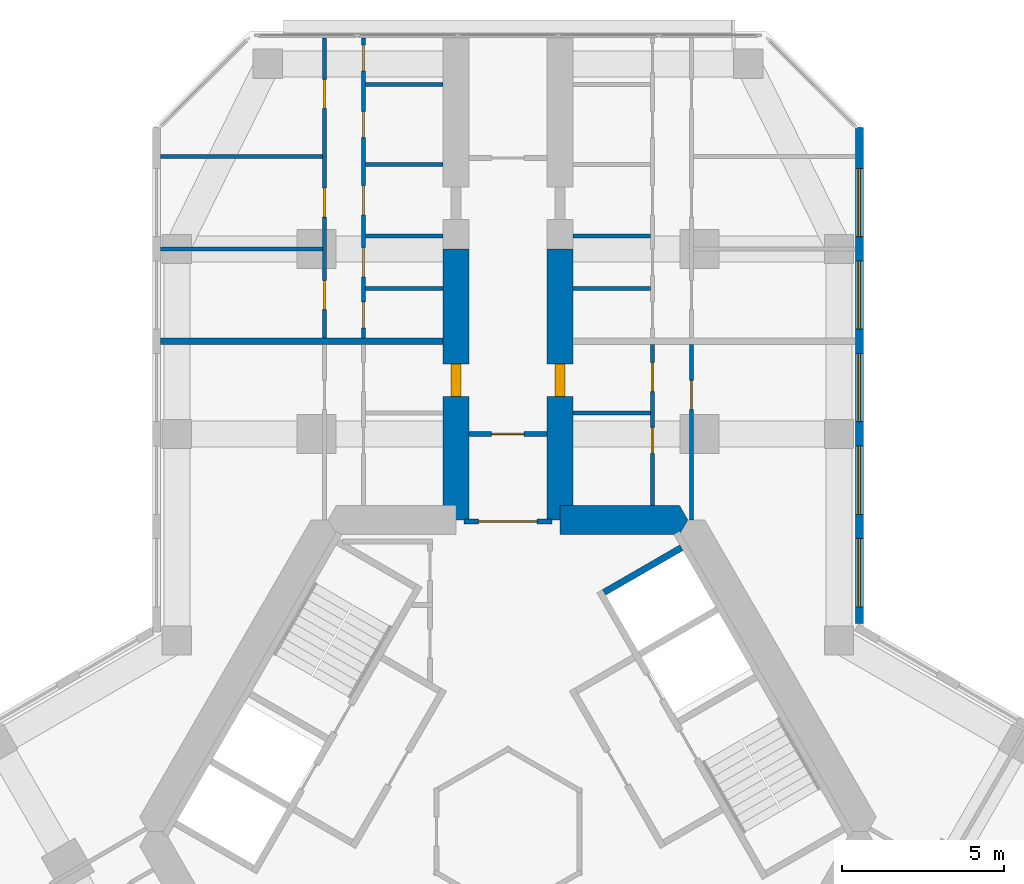
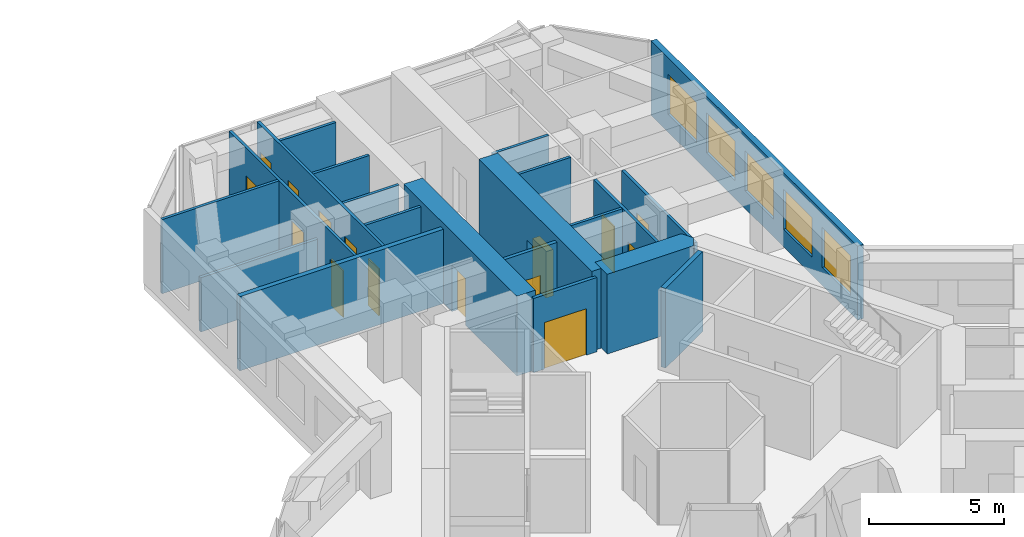
# One storey, part 17 of 19: 21 walls, 15 doors, 5 windows, 20 openings.
"""IFC4 building model written with IfcOpenShell, lengths in metres."""

from ifc_helpers import new_model, si_unit, direction, frame, frame_2d, origin, place, context, subcontext, project, spatial, polyline, rectangle, outline, extrude, material, layer, layer_set, type_object, element, fill, save


model = new_model("IFC4")

# Units and contexts
model_context = context("Model", 3, precision=1e-05, world=origin(), true_north=direction((0.0, 1.0)))
body_context = subcontext(model_context, "Body", "Model", "MODEL_VIEW")
ifc_project = project(units=[si_unit("LENGTHUNIT", "METRE"), si_unit("AREAUNIT", "SQUARE_METRE"), si_unit("VOLUMEUNIT", "CUBIC_METRE"), si_unit("PLANEANGLEUNIT", "RADIAN"), si_unit("MASSUNIT", "GRAM", prefix="KILO")], contexts=[model_context])

# Site, building, storey
site_placement = place(None, origin())
site = spatial("IfcSite", under=ifc_project, at=site_placement, CompositionType="ELEMENT")
building_placement = place(site_placement, origin())
building = spatial("IfcBuilding", under=site, at=building_placement, Name="Kosmar Iwan School Tower", CompositionType="ELEMENT")
storey_placement = place(building_placement, frame((0.0, 0.0, 172.39990234375)))
storey = spatial("IfcBuildingStorey", under=building, at=storey_placement, Name="L43", CompositionType="ELEMENT", Elevation=172.39990234375)

# Wall
ifc_material_1 = material(Name="Concrete C50/60", Category="concrete")
ifc_layer_1 = layer(ifc_material_1, 0.89990234375)
ifc_layer_set_1 = layer_set([ifc_layer_1], Name="Core wall 900")
wall_type_1 = type_object("IfcWallType", Name="Core wall 900", PredefinedType="SHEAR", material=ifc_layer_set_1)
wall_1_placement = place(storey_placement, origin())
element("IfcWall", 1, at=wall_1_placement, inside=storey, type_object=wall_type_1, Name="Core wall F090a", PredefinedType="SHEAR", context=body_context, shape_type="SweptSolid", body=[
    extrude(outline(polyline([(1.60009765625, 9.14990234375), (5.28271484375, 9.14990234375), (5.54248046875, 9.60009765625), (5.28271484375, 10.050048828125), (1.60009765625, 10.050048828125), (1.60009765625, 9.14990234375)])), origin(), (0.0, 0.0, 1.0), 3.60009765625),
])

# Wall, opening, door
ifc_material_2 = material(Name="Concrete C50/60", Category="concrete")
ifc_layer_2 = layer(ifc_material_2, 0.800048828125)
ifc_layer_set_2 = layer_set([ifc_layer_2], Name="Corridor buttress wall 800")
wall_type_2 = type_object("IfcWallType", Name="Corridor buttress wall 800", PredefinedType="SHEAR", material=ifc_layer_set_2)
wall_2_placement = place(storey_placement, frame((-1.60009765625, 9.60009765625, 0.0), z_axis=(0.0, 0.0, 1.0), x_axis=(0.0, 1.0, 0.0)))
wall_2 = element("IfcWall", 2, at=wall_2_placement, inside=storey, type_object=wall_type_2, Name="Corridor wall AL", PredefinedType="SHEAR", context=body_context, shape_type="SweptSolid", body=[
    extrude(rectangle(XDim=8.349853515625, YDim=0.800048828125, at=frame_2d((4.1748046875, 0.0))), origin(), (0.0, 0.0, 1.0), 3.60009765625),
])
opening_1_placement = place(wall_2_placement, frame((3.800048828125, 0.0, 0.0)))
opening_1 = element("IfcOpeningElement", 3, at=opening_1_placement, cuts=wall_2, Name="Opening D1", PredefinedType="OPENING", context=body_context, shape_type="SweptSolid", body=[
    extrude(rectangle(XDim=1.0, YDim=2.10009765625, at=frame_2d((0.5, 1.050048828125))), frame((0.0, 0.412109375, 0.0), z_axis=(0.0, -1.0, 0.0), x_axis=(1.0, 0.0, 0.0)), (0.0, 0.0, 1.0), 0.823974609375),
])
ifc_material_3 = material(Name="Timber fire door in steel frame", Category="steel")
door_type_1 = type_object("IfcDoorType", Name="Flat entrance door 1000x2100", OperationType="SINGLE_SWING_LEFT", PredefinedType="DOOR", material=ifc_material_3)
door_1_placement = place(opening_1_placement, origin())
door_1 = element("IfcDoor", 4, at=door_1_placement, inside=storey, type_object=door_type_1, Name="Flat L43-AL1 entrance door", OperationType="SINGLE_SWING_LEFT", OverallHeight=2.10009765625, OverallWidth=1.0, PredefinedType="DOOR", context=body_context, shape_type="SweptSolid", body=[
    extrude(rectangle(XDim=1.0, YDim=2.10009765625, at=frame_2d((0.5, 1.050048828125))), frame((0.0, 0.14990234375, 0.0), z_axis=(0.0, -1.0, 0.0), x_axis=(1.0, 0.0, 0.0)), (0.0, 0.0, 1.0), 0.300048828125),
])
fill(opening_1, door_1)

wall_3_placement = place(storey_placement, frame((1.60009765625, 9.60009765625, 0.0), z_axis=(0.0, 0.0, 1.0), x_axis=(0.0, 1.0, 0.0)))
wall_3 = element("IfcWall", 5, at=wall_3_placement, inside=storey, type_object=wall_type_2, Name="Corridor wall AR", PredefinedType="SHEAR", context=body_context, shape_type="SweptSolid", body=[
    extrude(rectangle(XDim=8.349853515625, YDim=0.800048828125, at=frame_2d((4.1748046875, 0.0))), origin(), (0.0, 0.0, 1.0), 3.60009765625),
])
opening_2_placement = place(wall_3_placement, frame((3.800048828125, 0.0, 0.0)))
opening_2 = element("IfcOpeningElement", 6, at=opening_2_placement, cuts=wall_3, Name="Opening D1", PredefinedType="OPENING", context=body_context, shape_type="SweptSolid", body=[
    extrude(rectangle(XDim=1.0, YDim=2.10009765625, at=frame_2d((0.5, 1.050048828125))), frame((0.0, 0.412109375, 0.0), z_axis=(0.0, -1.0, 0.0), x_axis=(1.0, 0.0, 0.0)), (0.0, 0.0, 1.0), 0.823974609375),
])
door_2_placement = place(opening_2_placement, origin())
door_2 = element("IfcDoor", 7, at=door_2_placement, inside=storey, type_object=door_type_1, Name="Flat L43-AR1 entrance door", OperationType="SINGLE_SWING_LEFT", OverallHeight=2.10009765625, OverallWidth=1.0, PredefinedType="DOOR", context=body_context, shape_type="SweptSolid", body=[
    extrude(rectangle(XDim=1.0, YDim=2.10009765625, at=frame_2d((0.5, 1.050048828125))), frame((0.0, 0.14990234375, 0.0), z_axis=(0.0, -1.0, 0.0), x_axis=(1.0, 0.0, 0.0)), (0.0, 0.0, 1.0), 0.300048828125),
])
fill(opening_2, door_2)

ifc_material_4 = material(Name="Gypsum board on steel studs, fire-rated", Category="steel")
ifc_layer_3 = layer(ifc_material_4, 0.14990234375)
ifc_layer_set_3 = layer_set([ifc_layer_3], Name="Corridor end wall 150")
wall_type_3 = type_object("IfcWallType", Name="Corridor end wall 150", PredefinedType="PARTITIONING", material=ifc_layer_set_3)
wall_4_placement = place(storey_placement, frame((1.199951171875, 12.25, 0.0), z_axis=(0.0, 0.0, 1.0), x_axis=(-1.0, 0.0, 0.0)))
wall_4 = element("IfcWall", 8, at=wall_4_placement, inside=storey, type_object=wall_type_3, Name="Partition L43-A-HW", PredefinedType="PARTITIONING", context=body_context, shape_type="SweptSolid", body=[
    extrude(rectangle(XDim=2.39990234375, YDim=0.14990234375, at=frame_2d((1.199951171875, 0.0))), origin(), (0.0, 0.0, 1.0), 3.35009765625),
])
opening_3_placement = place(wall_4_placement, frame((0.699951171875, 0.0, 0.0)))
opening_3 = element("IfcOpeningElement", 9, at=opening_3_placement, cuts=wall_4, Name="Opening D13", PredefinedType="OPENING", context=body_context, shape_type="SweptSolid", body=[
    extrude(rectangle(XDim=1.0, YDim=2.10009765625, at=frame_2d((0.5, 1.050048828125))), frame((0.0, 0.0869140625, 0.0), z_axis=(0.0, -1.0, 0.0), x_axis=(1.0, 0.0, 0.0)), (0.0, 0.0, 1.0), 0.173828125),
])
ifc_material_5 = material(Name="Timber fire door with vision panel", Category="wood")
door_type_2 = type_object("IfcDoorType", Name="Corridor end door 1000x2100", OperationType="SINGLE_SWING_LEFT", PredefinedType="DOOR", material=ifc_material_5)
door_3_placement = place(opening_3_placement, origin())
door_3 = element("IfcDoor", 10, at=door_3_placement, inside=storey, type_object=door_type_2, Name="Hashti door L43-A", OperationType="SINGLE_SWING_RIGHT", OverallHeight=2.10009765625, OverallWidth=1.0, PredefinedType="DOOR", context=body_context, shape_type="SweptSolid", body=[
    extrude(rectangle(XDim=1.0, YDim=2.10009765625, at=frame_2d((0.5, 1.050048828125))), frame((0.0, 0.02490234375, 0.0), z_axis=(0.0, -1.0, 0.0), x_axis=(1.0, 0.0, 0.0)), (0.0, 0.0, 1.0), 0.050048828125),
])
fill(opening_3, door_3)

ifc_material_6 = material(Name="Steel framed glazed screen", Category="steel")
ifc_layer_4 = layer(ifc_material_6, 0.14990234375)
ifc_layer_set_4 = layer_set([ifc_layer_4], Name="Corridor screen wall 150")
wall_type_4 = type_object("IfcWallType", Name="Corridor screen wall 150", PredefinedType="PARTITIONING", material=ifc_layer_set_4)
wall_5_placement = place(storey_placement, frame((1.35009765625, 9.550048828125, 0.0), z_axis=(0.0, 0.0, 1.0), x_axis=(-1.0, 0.0, 0.0)))
wall_5 = element("IfcWall", 11, at=wall_5_placement, inside=storey, type_object=wall_type_4, Name="Corridor screen A L43", PredefinedType="PARTITIONING", context=body_context, shape_type="SweptSolid", body=[
    extrude(rectangle(XDim=2.7001953125, YDim=0.14990234375, at=frame_2d((1.35009765625, 0.0))), origin(), (0.0, 0.0, 1.0), 3.35009765625),
])
opening_4_placement = place(wall_5_placement, frame((0.449951171875, 0.0, 0.0)))
opening_4 = element("IfcOpeningElement", 12, at=opening_4_placement, cuts=wall_5, Name="Opening D9", PredefinedType="OPENING", context=body_context, shape_type="SweptSolid", body=[
    extrude(rectangle(XDim=1.800048828125, YDim=2.10009765625, at=frame_2d((0.89990234375, 1.050048828125))), frame((0.0, 0.0869140625, 0.0), z_axis=(0.0, -1.0, 0.0), x_axis=(1.0, 0.0, 0.0)), (0.0, 0.0, 1.0), 0.173828125),
])
ifc_material_7 = material(Name="Steel framed glazed smoke door", Category="steel")
door_type_3 = type_object("IfcDoorType", Name="Corridor smoke door pair 1800x2100", OperationType="DOUBLE_DOOR_DOUBLE_SWING", PredefinedType="DOOR", material=ifc_material_7)
door_4_placement = place(opening_4_placement, origin())
door_4 = element("IfcDoor", 13, at=door_4_placement, inside=storey, type_object=door_type_3, Name="Corridor doors A L43", OperationType="DOUBLE_DOOR_DOUBLE_SWING", OverallHeight=2.10009765625, OverallWidth=1.800048828125, PredefinedType="DOOR", context=body_context, shape_type="SweptSolid", body=[
    extrude(rectangle(XDim=1.800048828125, YDim=2.10009765625, at=frame_2d((0.89990234375, 1.050048828125))), frame((0.0, 0.02490234375, 0.0), z_axis=(0.0, -1.0, 0.0), x_axis=(1.0, 0.0, 0.0)), (0.0, 0.0, 1.0), 0.050048828125),
])
fill(opening_4, door_4)

# Wall, openings, doors
ifc_material_8 = material(Name="Gypsum board on steel studs", Category="steel")
ifc_layer_5 = layer(ifc_material_8, 0.1201171875)
ifc_layer_set_5 = layer_set([ifc_layer_5], Name="Dwelling partition 120")
wall_type_5 = type_object("IfcWallType", Name="Dwelling partition 120", PredefinedType="PARTITIONING", material=ifc_layer_set_5)
wall_6_placement = place(storey_placement, frame((-4.449951171875, 15.199951171875, 0.0), z_axis=(0.0, 0.0, 1.0), x_axis=(0.0, 1.0, 0.0)))
wall_6 = element("IfcWall", 14, at=wall_6_placement, inside=storey, type_object=wall_type_5, Name="Partition L43-AL2-W1", PredefinedType="PARTITIONING", context=body_context, shape_type="SweptSolid", body=[
    extrude(rectangle(XDim=9.2451171875, YDim=0.1201171875, at=frame_2d((4.62255859375, 0.0))), origin(), (0.0, 0.0, 1.0), 3.35009765625),
])
opening_5_placement = place(wall_6_placement, frame((0.3125, 0.0, 0.0)))
opening_5 = element("IfcOpeningElement", 15, at=opening_5_placement, cuts=wall_6, Name="Opening D3", PredefinedType="OPENING", context=body_context, shape_type="SweptSolid", body=[
    extrude(rectangle(XDim=0.800048828125, YDim=2.10009765625, at=frame_2d((0.39990234375, 1.050048828125))), frame((0.0, 0.072021484375, 0.0), z_axis=(0.0, -1.0, 0.0), x_axis=(1.0, 0.0, 0.0)), (0.0, 0.0, 1.0), 0.14404296875),
])
opening_6_placement = place(wall_6_placement, frame((1.887451171875, 0.0, 0.0)))
opening_6 = element("IfcOpeningElement", 16, at=opening_6_placement, cuts=wall_6, Name="Opening D2", PredefinedType="OPENING", context=body_context, shape_type="SweptSolid", body=[
    extrude(rectangle(XDim=0.89990234375, YDim=2.10009765625, at=frame_2d((0.449951171875, 1.050048828125))), frame((0.0, 0.072021484375, 0.0), z_axis=(0.0, -1.0, 0.0), x_axis=(1.0, 0.0, 0.0)), (0.0, 0.0, 1.0), 0.14404296875),
])
opening_7_placement = place(wall_6_placement, frame((3.800048828125, 0.0, 0.0)))
opening_7 = element("IfcOpeningElement", 17, at=opening_7_placement, cuts=wall_6, Name="Opening D2", PredefinedType="OPENING", context=body_context, shape_type="SweptSolid", body=[
    extrude(rectangle(XDim=0.89990234375, YDim=2.10009765625, at=frame_2d((0.449951171875, 1.050048828125))), frame((0.0, 0.072021484375, 0.0), z_axis=(0.0, -1.0, 0.0), x_axis=(1.0, 0.0, 0.0)), (0.0, 0.0, 1.0), 0.14404296875),
])
opening_8_placement = place(wall_6_placement, frame((6.179931640625, 0.0, 0.0)))
opening_8 = element("IfcOpeningElement", 18, at=opening_8_placement, cuts=wall_6, Name="Opening D3", PredefinedType="OPENING", context=body_context, shape_type="SweptSolid", body=[
    extrude(rectangle(XDim=0.800048828125, YDim=2.10009765625, at=frame_2d((0.39990234375, 1.050048828125))), frame((0.0, 0.072021484375, 0.0), z_axis=(0.0, -1.0, 0.0), x_axis=(1.0, 0.0, 0.0)), (0.0, 0.0, 1.0), 0.14404296875),
])
opening_9_placement = place(wall_6_placement, frame((8.22998046875, 0.0, 0.0)))
opening_9 = element("IfcOpeningElement", 19, at=opening_9_placement, cuts=wall_6, Name="Opening D3", PredefinedType="OPENING", context=body_context, shape_type="SweptSolid", body=[
    extrude(rectangle(XDim=0.800048828125, YDim=2.10009765625, at=frame_2d((0.39990234375, 1.050048828125))), frame((0.0, 0.072021484375, 0.0), z_axis=(0.0, -1.0, 0.0), x_axis=(1.0, 0.0, 0.0)), (0.0, 0.0, 1.0), 0.14404296875),
])
ifc_material_9 = material(Name="Timber door in timber frame", Category="wood")
door_type_4 = type_object("IfcDoorType", Name="Internal door 900x2100", OperationType="SINGLE_SWING_LEFT", PredefinedType="DOOR", material=ifc_material_9)
door_5_placement = place(opening_6_placement, frame((0.89990234375, 0.0, 0.0), z_axis=(0.0, 0.0, 1.0), x_axis=(-1.0, 0.0, 0.0)))
door_5 = element("IfcDoor", 20, at=door_5_placement, inside=storey, type_object=door_type_4, Name="Pantry door L43-AL2-S2", OperationType="SINGLE_SWING_RIGHT", OverallHeight=2.10009765625, OverallWidth=0.89990234375, PredefinedType="DOOR", context=body_context, shape_type="SweptSolid", body=[
    extrude(rectangle(XDim=0.89990234375, YDim=2.10009765625, at=frame_2d((0.449951171875, 1.050048828125))), frame((0.0, 0.02490234375, 0.0), z_axis=(0.0, -1.0, 0.0), x_axis=(1.0, 0.0, 0.0)), (0.0, 0.0, 1.0), 0.050048828125),
])
fill(opening_6, door_5)
door_6_placement = place(opening_7_placement, origin())
door_6 = element("IfcDoor", 21, at=door_6_placement, inside=storey, type_object=door_type_4, Name="Entrance hall door L43-AL2-S3", OperationType="SINGLE_SWING_LEFT", OverallHeight=2.10009765625, OverallWidth=0.89990234375, PredefinedType="DOOR", context=body_context, shape_type="SweptSolid", body=[
    extrude(rectangle(XDim=0.89990234375, YDim=2.10009765625, at=frame_2d((0.449951171875, 1.050048828125))), frame((0.0, 0.02490234375, 0.0), z_axis=(0.0, -1.0, 0.0), x_axis=(1.0, 0.0, 0.0)), (0.0, 0.0, 1.0), 0.050048828125),
])
fill(opening_7, door_6)
ifc_material_10 = material(Name="Timber door in timber frame", Category="wood")
door_type_5 = type_object("IfcDoorType", Name="Sanitary room door 800x2100", OperationType="SINGLE_SWING_LEFT", PredefinedType="DOOR", material=ifc_material_10)
door_7_placement = place(opening_5_placement, origin())
door_7 = element("IfcDoor", 22, at=door_7_placement, inside=storey, type_object=door_type_5, Name="Store door L43-AL2-S1", OperationType="SINGLE_SWING_LEFT", OverallHeight=2.10009765625, OverallWidth=0.800048828125, PredefinedType="DOOR", context=body_context, shape_type="SweptSolid", body=[
    extrude(rectangle(XDim=0.800048828125, YDim=2.10009765625, at=frame_2d((0.39990234375, 1.050048828125))), frame((0.0, 0.02490234375, 0.0), z_axis=(0.0, -1.0, 0.0), x_axis=(1.0, 0.0, 0.0)), (0.0, 0.0, 1.0), 0.050048828125),
])
fill(opening_5, door_7)
door_8_placement = place(opening_8_placement, origin())
door_8 = element("IfcDoor", 23, at=door_8_placement, inside=storey, type_object=door_type_5, Name="Bathroom door L43-AL2-S4", OperationType="SINGLE_SWING_RIGHT", OverallHeight=2.10009765625, OverallWidth=0.800048828125, PredefinedType="DOOR", context=body_context, shape_type="SweptSolid", body=[
    extrude(rectangle(XDim=0.800048828125, YDim=2.10009765625, at=frame_2d((0.39990234375, 1.050048828125))), frame((0.0, 0.02490234375, 0.0), z_axis=(0.0, -1.0, 0.0), x_axis=(1.0, 0.0, 0.0)), (0.0, 0.0, 1.0), 0.050048828125),
])
fill(opening_8, door_8)
door_9_placement = place(opening_9_placement, origin())
door_9 = element("IfcDoor", 24, at=door_9_placement, inside=storey, type_object=door_type_5, Name="WC door L43-AL2-S5", OperationType="SINGLE_SWING_RIGHT", OverallHeight=2.10009765625, OverallWidth=0.800048828125, PredefinedType="DOOR", context=body_context, shape_type="SweptSolid", body=[
    extrude(rectangle(XDim=0.800048828125, YDim=2.10009765625, at=frame_2d((0.39990234375, 1.050048828125))), frame((0.0, 0.02490234375, 0.0), z_axis=(0.0, -1.0, 0.0), x_axis=(1.0, 0.0, 0.0)), (0.0, 0.0, 1.0), 0.050048828125),
])
fill(opening_9, door_9)

wall_7_placement = place(storey_placement, frame((-5.64990234375, 15.199951171875, 0.0), z_axis=(0.0, 0.0, 1.0), x_axis=(0.0, 1.0, 0.0)))
wall_7 = element("IfcWall", 25, at=wall_7_placement, inside=storey, type_object=wall_type_5, Name="Partition L43-AL2-W2", PredefinedType="PARTITIONING", context=body_context, shape_type="SweptSolid", body=[
    extrude(rectangle(XDim=9.2451171875, YDim=0.1201171875, at=frame_2d((4.62255859375, 0.0))), origin(), (0.0, 0.0, 1.0), 3.35009765625),
])
opening_10_placement = place(wall_7_placement, frame((0.875, 0.0, 0.0)))
opening_10 = element("IfcOpeningElement", 26, at=opening_10_placement, cuts=wall_7, Name="Opening D2", PredefinedType="OPENING", context=body_context, shape_type="SweptSolid", body=[
    extrude(rectangle(XDim=0.89990234375, YDim=2.10009765625, at=frame_2d((0.449951171875, 1.050048828125))), frame((0.0, 0.072021484375, 0.0), z_axis=(0.0, -1.0, 0.0), x_axis=(1.0, 0.0, 0.0)), (0.0, 0.0, 1.0), 0.14404296875),
])
opening_11_placement = place(wall_7_placement, frame((3.72509765625, 0.0, 0.0)))
opening_11 = element("IfcOpeningElement", 27, at=opening_11_placement, cuts=wall_7, Name="Opening D2", PredefinedType="OPENING", context=body_context, shape_type="SweptSolid", body=[
    extrude(rectangle(XDim=0.89990234375, YDim=2.10009765625, at=frame_2d((0.449951171875, 1.050048828125))), frame((0.0, 0.072021484375, 0.0), z_axis=(0.0, -1.0, 0.0), x_axis=(1.0, 0.0, 0.0)), (0.0, 0.0, 1.0), 0.14404296875),
])
opening_12_placement = place(wall_7_placement, frame((7.074951171875, 0.0, 0.0)))
opening_12 = element("IfcOpeningElement", 28, at=opening_12_placement, cuts=wall_7, Name="Opening D2", PredefinedType="OPENING", context=body_context, shape_type="SweptSolid", body=[
    extrude(rectangle(XDim=0.89990234375, YDim=2.10009765625, at=frame_2d((0.449951171875, 1.050048828125))), frame((0.0, 0.072021484375, 0.0), z_axis=(0.0, -1.0, 0.0), x_axis=(1.0, 0.0, 0.0)), (0.0, 0.0, 1.0), 0.14404296875),
])
door_10_placement = place(opening_10_placement, origin())
door_10 = element("IfcDoor", 29, at=door_10_placement, inside=storey, type_object=door_type_4, Name="Living room door L43-AL2-F1", OperationType="SINGLE_SWING_RIGHT", OverallHeight=2.10009765625, OverallWidth=0.89990234375, PredefinedType="DOOR", context=body_context, shape_type="SweptSolid", body=[
    extrude(rectangle(XDim=0.89990234375, YDim=2.10009765625, at=frame_2d((0.449951171875, 1.050048828125))), frame((0.0, 0.02490234375, 0.0), z_axis=(0.0, -1.0, 0.0), x_axis=(1.0, 0.0, 0.0)), (0.0, 0.0, 1.0), 0.050048828125),
])
fill(opening_10, door_10)
door_11_placement = place(opening_11_placement, origin())
door_11 = element("IfcDoor", 30, at=door_11_placement, inside=storey, type_object=door_type_4, Name="Kitchen and dining room door L43-AL2-F2", OperationType="SINGLE_SWING_LEFT", OverallHeight=2.10009765625, OverallWidth=0.89990234375, PredefinedType="DOOR", context=body_context, shape_type="SweptSolid", body=[
    extrude(rectangle(XDim=0.89990234375, YDim=2.10009765625, at=frame_2d((0.449951171875, 1.050048828125))), frame((0.0, 0.02490234375, 0.0), z_axis=(0.0, -1.0, 0.0), x_axis=(1.0, 0.0, 0.0)), (0.0, 0.0, 1.0), 0.050048828125),
])
fill(opening_11, door_11)
door_12_placement = place(opening_12_placement, origin())
door_12 = element("IfcDoor", 31, at=door_12_placement, inside=storey, type_object=door_type_4, Name="Bedroom 1 door L43-AL2-F3", OperationType="SINGLE_SWING_RIGHT", OverallHeight=2.10009765625, OverallWidth=0.89990234375, PredefinedType="DOOR", context=body_context, shape_type="SweptSolid", body=[
    extrude(rectangle(XDim=0.89990234375, YDim=2.10009765625, at=frame_2d((0.449951171875, 1.050048828125))), frame((0.0, 0.02490234375, 0.0), z_axis=(0.0, -1.0, 0.0), x_axis=(1.0, 0.0, 0.0)), (0.0, 0.0, 1.0), 0.050048828125),
])
fill(opening_12, door_12)

# Walls
wall_8_placement = place(storey_placement, frame((-5.7099609375, 17.949951171875, 0.0), z_axis=(0.0, 0.0, 1.0), x_axis=(-1.0, 0.0, 0.0)))
element("IfcWall", 32, at=wall_8_placement, inside=storey, type_object=wall_type_5, Name="Partition L43-AL2-X1", PredefinedType="PARTITIONING", context=body_context, shape_type="SweptSolid", body=[
    extrude(rectangle(XDim=4.989990234375, YDim=0.1201171875, at=frame_2d((2.4951171875, 0.0))), origin(), (0.0, 0.0, 1.0), 2.4501953125),
])
wall_9_placement = place(storey_placement, frame((-5.7099609375, 20.800048828125, 0.0), z_axis=(0.0, 0.0, 1.0), x_axis=(-1.0, 0.0, 0.0)))
element("IfcWall", 33, at=wall_9_placement, inside=storey, type_object=wall_type_5, Name="Partition L43-AL2-X2", PredefinedType="PARTITIONING", context=body_context, shape_type="SweptSolid", body=[
    extrude(rectangle(XDim=4.989990234375, YDim=0.1201171875, at=frame_2d((2.4951171875, 0.0))), origin(), (0.0, 0.0, 1.0), 3.35009765625),
])
for number, where, z_axis, x_axis, name in (
    (34, (-2.0, 16.72509765625, 0.0), (0.0, 0.0, 1.0), (-1.0, 0.0, 0.0), "Partition L43-AL2-Y1"),
    (35, (-2.0, 18.35009765625, 0.0), (0.0, 0.0, 1.0), (-1.0, 0.0, 0.0), "Partition L43-AL2-Y2"),
    (36, (-2.0, 20.550048828125, 0.0), (0.0, 0.0, 1.0), (-1.0, 0.0, 0.0), "Partition L43-AL2-Y3"),
    (37, (-2.0, 23.010009765625, 0.0), (0.0, 0.0, 1.0), (-1.0, 0.0, 0.0), "Partition L43-AL2-Y4"),
):
    element("IfcWall", number, at=place(storey_placement, frame(where, z_axis=z_axis, x_axis=x_axis)), inside=storey, type_object=wall_type_5, Name=name, PredefinedType="PARTITIONING", context=body_context, shape_type="SweptSolid", body=[
        extrude(rectangle(XDim=2.389892578125, YDim=0.1201171875, at=frame_2d((1.19482421875, 0.0))), origin(), (0.0, 0.0, 1.0), 3.35009765625),
    ])

# Wall, openings, doors
wall_10_placement = place(storey_placement, frame((4.449951171875, 10.050048828125, 0.0), z_axis=(0.0, 0.0, 1.0), x_axis=(0.0, 1.0, 0.0)))
wall_10 = element("IfcWall", 38, at=wall_10_placement, inside=storey, type_object=wall_type_5, Name="Partition L43-AR1-W1", PredefinedType="PARTITIONING", context=body_context, shape_type="SweptSolid", body=[
    extrude(rectangle(XDim=4.949951171875, YDim=0.1201171875, at=frame_2d((2.47509765625, 0.0))), origin(), (0.0, 0.0, 1.0), 3.35009765625),
])
opening_13_placement = place(wall_10_placement, frame((1.60009765625, 0.0, 0.0)))
opening_13 = element("IfcOpeningElement", 39, at=opening_13_placement, cuts=wall_10, Name="Opening D3", PredefinedType="OPENING", context=body_context, shape_type="SweptSolid", body=[
    extrude(rectangle(XDim=0.800048828125, YDim=2.10009765625, at=frame_2d((0.39990234375, 1.050048828125))), frame((0.0, 0.072021484375, 0.0), z_axis=(0.0, -1.0, 0.0), x_axis=(1.0, 0.0, 0.0)), (0.0, 0.0, 1.0), 0.14404296875),
])
opening_14_placement = place(wall_10_placement, frame((3.5, 0.0, 0.0)))
opening_14 = element("IfcOpeningElement", 40, at=opening_14_placement, cuts=wall_10, Name="Opening D2", PredefinedType="OPENING", context=body_context, shape_type="SweptSolid", body=[
    extrude(rectangle(XDim=0.89990234375, YDim=2.10009765625, at=frame_2d((0.449951171875, 1.050048828125))), frame((0.0, 0.072021484375, 0.0), z_axis=(0.0, -1.0, 0.0), x_axis=(1.0, 0.0, 0.0)), (0.0, 0.0, 1.0), 0.14404296875),
])
door_13_placement = place(opening_14_placement, origin())
door_13 = element("IfcDoor", 41, at=door_13_placement, inside=storey, type_object=door_type_4, Name="Entrance hall door L43-AR1-S2", OperationType="SINGLE_SWING_RIGHT", OverallHeight=2.10009765625, OverallWidth=0.89990234375, PredefinedType="DOOR", context=body_context, shape_type="SweptSolid", body=[
    extrude(rectangle(XDim=0.89990234375, YDim=2.10009765625, at=frame_2d((0.449951171875, 1.050048828125))), frame((0.0, 0.02490234375, 0.0), z_axis=(0.0, -1.0, 0.0), x_axis=(1.0, 0.0, 0.0)), (0.0, 0.0, 1.0), 0.050048828125),
])
fill(opening_14, door_13)
door_14_placement = place(opening_13_placement, origin())
door_14 = element("IfcDoor", 42, at=door_14_placement, inside=storey, type_object=door_type_5, Name="Bathroom door L43-AR1-S1", OperationType="SINGLE_SWING_RIGHT", OverallHeight=2.10009765625, OverallWidth=0.800048828125, PredefinedType="DOOR", context=body_context, shape_type="SweptSolid", body=[
    extrude(rectangle(XDim=0.800048828125, YDim=2.10009765625, at=frame_2d((0.39990234375, 1.050048828125))), frame((0.0, 0.02490234375, 0.0), z_axis=(0.0, -1.0, 0.0), x_axis=(1.0, 0.0, 0.0)), (0.0, 0.0, 1.0), 0.050048828125),
])
fill(opening_13, door_14)

# Wall, opening, door
wall_11_placement = place(storey_placement, frame((5.64990234375, 9.60009765625, 0.0), z_axis=(0.0, 0.0, 1.0), x_axis=(0.0, 1.0, 0.0)))
wall_11 = element("IfcWall", 43, at=wall_11_placement, inside=storey, type_object=wall_type_5, Name="Partition L43-AR1-W2", PredefinedType="PARTITIONING", context=body_context, shape_type="SweptSolid", body=[
    extrude(rectangle(XDim=5.39990234375, YDim=0.1201171875, at=frame_2d((2.699951171875, 0.0))), origin(), (0.0, 0.0, 1.0), 3.35009765625),
])
opening_15_placement = place(wall_11_placement, frame((3.39990234375, 0.0, 0.0)))
opening_15 = element("IfcOpeningElement", 44, at=opening_15_placement, cuts=wall_11, Name="Opening D2", PredefinedType="OPENING", context=body_context, shape_type="SweptSolid", body=[
    extrude(rectangle(XDim=0.89990234375, YDim=2.10009765625, at=frame_2d((0.449951171875, 1.050048828125))), frame((0.0, 0.072021484375, 0.0), z_axis=(0.0, -1.0, 0.0), x_axis=(1.0, 0.0, 0.0)), (0.0, 0.0, 1.0), 0.14404296875),
])
door_15_placement = place(opening_15_placement, origin())
door_15 = element("IfcDoor", 45, at=door_15_placement, inside=storey, type_object=door_type_4, Name="Studio living room and kitchen door L43-AR1-F1", OperationType="SINGLE_SWING_RIGHT", OverallHeight=2.10009765625, OverallWidth=0.89990234375, PredefinedType="DOOR", context=body_context, shape_type="SweptSolid", body=[
    extrude(rectangle(XDim=0.89990234375, YDim=2.10009765625, at=frame_2d((0.449951171875, 1.050048828125))), frame((0.0, 0.02490234375, 0.0), z_axis=(0.0, -1.0, 0.0), x_axis=(1.0, 0.0, 0.0)), (0.0, 0.0, 1.0), 0.050048828125),
])
fill(opening_15, door_15)

# Walls
for number, where, z_axis, x_axis, name in (
    (46, (2.0, 12.89990234375, 0.0), (0.0, 0.0, 1.0), (1.0, 0.0, 0.0), "Partition L43-AR1-Y1"),
    (47, (2.0, 16.72509765625, 0.0), (0.0, 0.0, 1.0), (1.0, 0.0, 0.0), "Partition L43-AR2-Y1"),
    (48, (2.0, 18.35009765625, 0.0), (0.0, 0.0, 1.0), (1.0, 0.0, 0.0), "Partition L43-AR2-Y2"),
):
    element("IfcWall", number, at=place(storey_placement, frame(where, z_axis=z_axis, x_axis=x_axis)), inside=storey, type_object=wall_type_5, Name=name, PredefinedType="PARTITIONING", context=body_context, shape_type="SweptSolid", body=[
        extrude(rectangle(XDim=2.389892578125, YDim=0.1201171875, at=frame_2d((1.19482421875, 0.0))), origin(), (0.0, 0.0, 1.0), 3.35009765625),
    ])

# Wall, openings, windows
ifc_material_11 = material(Name="Black aluminium rainscreen on insulated framing", Category="aluminium")
ifc_layer_6 = layer(ifc_material_11, 0.25)
ifc_layer_set_6 = layer_set([ifc_layer_6], Name="External wall rainscreen 250")
wall_type_6 = type_object("IfcWallType", Name="External wall rainscreen 250", PredefinedType="SOLIDWALL", material=ifc_layer_set_6)
wall_12_placement = place(storey_placement, frame((10.824951171875, 6.408935546875, 0.0), z_axis=(0.0, 0.0, 1.0), x_axis=(0.0, 1.0, 0.0)))
wall_12 = element("IfcWall", 49, at=wall_12_placement, inside=storey, type_object=wall_type_6, Name="External wall AR L43", PredefinedType="SOLIDWALL", context=body_context, shape_type="SweptSolid", body=[
    extrude(rectangle(XDim=15.2763671875, YDim=0.25, at=frame_2d((7.63818359375, 0.0))), origin(), (0.0, 0.0, 1.0), 3.35009765625),
])
opening_16_placement = place(wall_12_placement, frame((0.51611328125, 0.0, 0.800048828125)))
opening_16 = element("IfcOpeningElement", 50, at=opening_16_placement, cuts=wall_12, Name="Opening W4", PredefinedType="OPENING", context=body_context, shape_type="SweptSolid", body=[
    extrude(rectangle(XDim=2.10009765625, YDim=1.800048828125, at=frame_2d((1.050048828125, 0.89990234375))), frame((0.0, 0.136962890625, 0.0), z_axis=(0.0, -1.0, 0.0), x_axis=(1.0, 0.0, 0.0)), (0.0, 0.0, 1.0), 0.27392578125),
])
opening_17_placement = place(wall_12_placement, frame((3.365966796875, 0.0, 0.800048828125)))
opening_17 = element("IfcOpeningElement", 51, at=opening_17_placement, cuts=wall_12, Name="Opening W4", PredefinedType="OPENING", context=body_context, shape_type="SweptSolid", body=[
    extrude(rectangle(XDim=2.10009765625, YDim=1.800048828125, at=frame_2d((1.050048828125, 0.89990234375))), frame((0.0, 0.136962890625, 0.0), z_axis=(0.0, -1.0, 0.0), x_axis=(1.0, 0.0, 0.0)), (0.0, 0.0, 1.0), 0.27392578125),
])
opening_18_placement = place(wall_12_placement, frame((6.216064453125, 0.0, 0.800048828125)))
opening_18 = element("IfcOpeningElement", 52, at=opening_18_placement, cuts=wall_12, Name="Opening W4", PredefinedType="OPENING", context=body_context, shape_type="SweptSolid", body=[
    extrude(rectangle(XDim=2.10009765625, YDim=1.800048828125, at=frame_2d((1.050048828125, 0.89990234375))), frame((0.0, 0.136962890625, 0.0), z_axis=(0.0, -1.0, 0.0), x_axis=(1.0, 0.0, 0.0)), (0.0, 0.0, 1.0), 0.27392578125),
])
opening_19_placement = place(wall_12_placement, frame((9.06591796875, 0.0, 0.800048828125)))
opening_19 = element("IfcOpeningElement", 53, at=opening_19_placement, cuts=wall_12, Name="Opening W4", PredefinedType="OPENING", context=body_context, shape_type="SweptSolid", body=[
    extrude(rectangle(XDim=2.10009765625, YDim=1.800048828125, at=frame_2d((1.050048828125, 0.89990234375))), frame((0.0, 0.136962890625, 0.0), z_axis=(0.0, -1.0, 0.0), x_axis=(1.0, 0.0, 0.0)), (0.0, 0.0, 1.0), 0.27392578125),
])
opening_20_placement = place(wall_12_placement, frame((11.916015625, 0.0, 0.800048828125)))
opening_20 = element("IfcOpeningElement", 54, at=opening_20_placement, cuts=wall_12, Name="Opening W4", PredefinedType="OPENING", context=body_context, shape_type="SweptSolid", body=[
    extrude(rectangle(XDim=2.10009765625, YDim=1.800048828125, at=frame_2d((1.050048828125, 0.89990234375))), frame((0.0, 0.136962890625, 0.0), z_axis=(0.0, -1.0, 0.0), x_axis=(1.0, 0.0, 0.0)), (0.0, 0.0, 1.0), 0.27392578125),
])
ifc_material_12 = material(Name="Black aluminium frame with dark triple glazing", Category="aluminium")
window_type = type_object("IfcWindowType", Name="Window 2100x1800", PartitioningType="SINGLE_PANEL", PredefinedType="WINDOW", material=ifc_material_12)
window_1_placement = place(opening_16_placement, origin())
window_1 = element("IfcWindow", 55, at=window_1_placement, inside=storey, type_object=window_type, Name="Window AR L43 -1", OverallHeight=1.800048828125, OverallWidth=2.10009765625, PartitioningType="SINGLE_PANEL", PredefinedType="WINDOW", context=body_context, shape_type="SweptSolid", body=[
    extrude(rectangle(XDim=2.10009765625, YDim=1.800048828125, at=frame_2d((1.050048828125, 0.89990234375))), frame((0.0, 0.030029296875, 0.0), z_axis=(0.0, -1.0, 0.0), x_axis=(1.0, 0.0, 0.0)), (0.0, 0.0, 1.0), 0.06005859375),
])
fill(opening_16, window_1)
window_2_placement = place(opening_17_placement, origin())
window_2 = element("IfcWindow", 56, at=window_2_placement, inside=storey, type_object=window_type, Name="Window AR L43 0", OverallHeight=1.800048828125, OverallWidth=2.10009765625, PartitioningType="SINGLE_PANEL", PredefinedType="WINDOW", context=body_context, shape_type="SweptSolid", body=[
    extrude(rectangle(XDim=2.10009765625, YDim=1.800048828125, at=frame_2d((1.050048828125, 0.89990234375))), frame((0.0, 0.030029296875, 0.0), z_axis=(0.0, -1.0, 0.0), x_axis=(1.0, 0.0, 0.0)), (0.0, 0.0, 1.0), 0.06005859375),
])
fill(opening_17, window_2)
window_3_placement = place(opening_18_placement, origin())
window_3 = element("IfcWindow", 57, at=window_3_placement, inside=storey, type_object=window_type, Name="Window AR L43 1", OverallHeight=1.800048828125, OverallWidth=2.10009765625, PartitioningType="SINGLE_PANEL", PredefinedType="WINDOW", context=body_context, shape_type="SweptSolid", body=[
    extrude(rectangle(XDim=2.10009765625, YDim=1.800048828125, at=frame_2d((1.050048828125, 0.89990234375))), frame((0.0, 0.030029296875, 0.0), z_axis=(0.0, -1.0, 0.0), x_axis=(1.0, 0.0, 0.0)), (0.0, 0.0, 1.0), 0.06005859375),
])
fill(opening_18, window_3)
window_4_placement = place(opening_19_placement, origin())
window_4 = element("IfcWindow", 58, at=window_4_placement, inside=storey, type_object=window_type, Name="Window AR L43 2", OverallHeight=1.800048828125, OverallWidth=2.10009765625, PartitioningType="SINGLE_PANEL", PredefinedType="WINDOW", context=body_context, shape_type="SweptSolid", body=[
    extrude(rectangle(XDim=2.10009765625, YDim=1.800048828125, at=frame_2d((1.050048828125, 0.89990234375))), frame((0.0, 0.030029296875, 0.0), z_axis=(0.0, -1.0, 0.0), x_axis=(1.0, 0.0, 0.0)), (0.0, 0.0, 1.0), 0.06005859375),
])
fill(opening_19, window_4)
window_5_placement = place(opening_20_placement, origin())
window_5 = element("IfcWindow", 59, at=window_5_placement, inside=storey, type_object=window_type, Name="Window AR L43 3", OverallHeight=1.800048828125, OverallWidth=2.10009765625, PartitioningType="SINGLE_PANEL", PredefinedType="WINDOW", context=body_context, shape_type="SweptSolid", body=[
    extrude(rectangle(XDim=2.10009765625, YDim=1.800048828125, at=frame_2d((1.050048828125, 0.89990234375))), frame((0.0, 0.030029296875, 0.0), z_axis=(0.0, -1.0, 0.0), x_axis=(1.0, 0.0, 0.0)), (0.0, 0.0, 1.0), 0.06005859375),
])
fill(opening_20, window_5)

# Walls
ifc_material_13 = material(Name="Concrete C50/60", Category="concrete")
ifc_layer_7 = layer(ifc_material_13, 0.199951171875)
ifc_layer_set_7 = layer_set([ifc_layer_7], Name="Lift shaft wall 200")
wall_type_7 = type_object("IfcWallType", Name="Lift shaft wall 200", PredefinedType="SHEAR", material=ifc_layer_set_7)
wall_13_placement = place(storey_placement, frame((2.962646484375, 7.368408203125, 0.0), z_axis=(0.0, 0.0, 1.0), x_axis=(0.866027397988, 0.499996545922, 0.0)))
element("IfcWall", 60, at=wall_13_placement, inside=storey, type_object=wall_type_7, Name="Lift shaft wall AC 2", PredefinedType="SHEAR", context=body_context, shape_type="SweptSolid", body=[
    extrude(rectangle(XDim=2.75, YDim=0.199951171875, at=frame_2d((1.375, 0.0))), origin(), (0.0, 0.0, 1.0), 3.60009765625),
])
ifc_material_14 = material(Name="Concrete block masonry", Category="masonry")
ifc_layer_8 = layer(ifc_material_14, 0.199951171875)
ifc_layer_set_8 = layer_set([ifc_layer_8], Name="Party wall 200")
wall_type_8 = type_object("IfcWallType", Name="Party wall 200", PredefinedType="PARTITIONING", material=ifc_layer_set_8)
wall_14_placement = place(storey_placement, frame((-2.0, 15.10009765625, 0.0), z_axis=(0.0, 0.0, 1.0), x_axis=(-1.0, 0.0, 0.0)))
element("IfcWall", 61, at=wall_14_placement, inside=storey, type_object=wall_type_8, Name="Partition L43-AL2-PW", PredefinedType="PARTITIONING", context=body_context, shape_type="SweptSolid", body=[
    extrude(rectangle(XDim=8.699951171875, YDim=0.199951171875, at=frame_2d((4.35009765625, 0.0))), origin(), (0.0, 0.0, 1.0), 3.35009765625),
])

save(model, "model.ifc")
